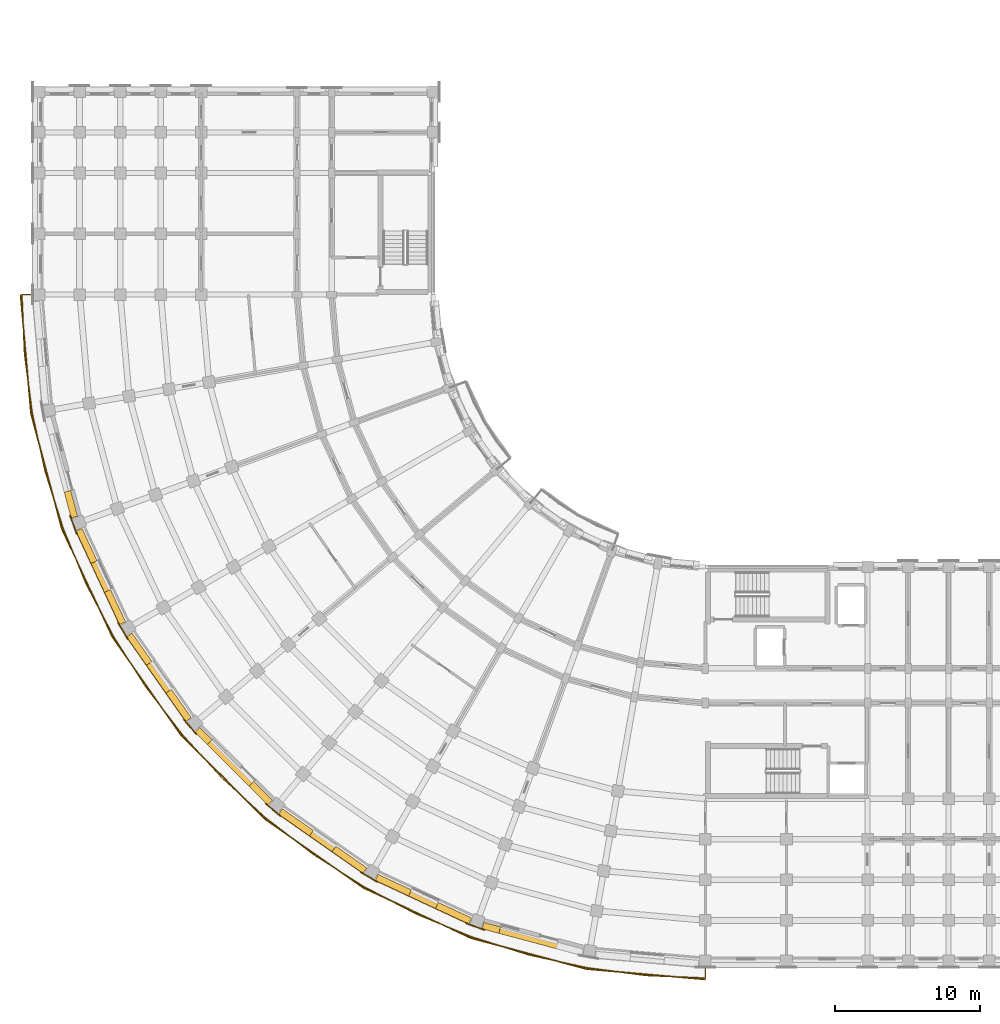
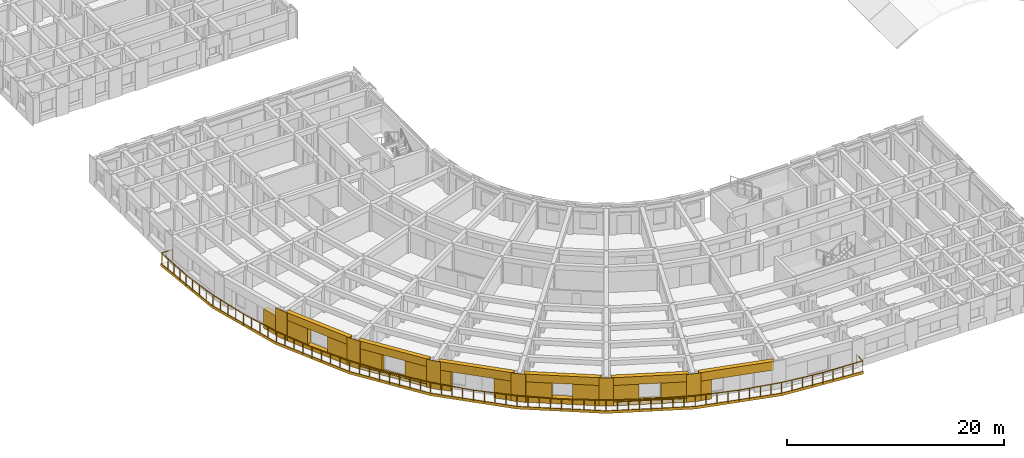
# One storey, part 38 of 54: 29 coverings, 1 railing.
"""IFC4 building model written with IfcOpenShell, lengths in metres."""

from ifc_helpers import new_model, si_unit, direction, frame, origin, origin_2d, place, context, subcontext, project, spatial, polyline, circle, outline, extrude, material, layer, layer_set, type_object, element, save


model = new_model("IFC4")

# Units and contexts
model_context = context("Model", 3, precision=1e-05, world=origin(), true_north=direction((0.0, 1.0)))
body_context = subcontext(model_context, "Body", "Model", "MODEL_VIEW")
ifc_project = project(units=[si_unit("LENGTHUNIT", "METRE"), si_unit("AREAUNIT", "SQUARE_METRE"), si_unit("VOLUMEUNIT", "CUBIC_METRE"), si_unit("PLANEANGLEUNIT", "RADIAN"), si_unit("MASSUNIT", "GRAM", prefix="KILO")], contexts=[model_context])

# Site, building, storey
site_placement = place(None, origin())
site = spatial("IfcSite", under=ifc_project, at=site_placement, CompositionType="ELEMENT")
building_placement = place(site_placement, origin())
building = spatial("IfcBuilding", under=site, at=building_placement, Name="Kiranvali Square Residences", CompositionType="ELEMENT")
storey_placement = place(building_placement, frame((0.0, 0.0, 15.0)))
storey = spatial("IfcBuildingStorey", under=building, at=storey_placement, Name="L04", CompositionType="ELEMENT", Elevation=15.0)

# Coverings
ifc_material_1 = material(Name="Carved Porbandar limestone classical entablature and cornice", Category="masonry")
ifc_layer_1 = layer(ifc_material_1, 0.072021484375)
ifc_layer_set_1 = layer_set([ifc_layer_1], Name="Carved Porbandar limestone classical entablature and cornice")
covering_type_1 = type_object("IfcCoveringType", Name="COV-CLAD-BAL", PredefinedType="CLADDING", material=ifc_layer_set_1)
covering_1_placement = place(storey_placement, frame((0.0, 0.0, -0.239990234375)))
element("IfcCovering", 1, at=covering_1_placement, inside=storey, type_object=covering_type_1, Name="Block C L04 continuous curved limestone balcony fascia", PredefinedType="CLADDING", context=body_context, shape_type="SweptSolid", body=[
    extrude(outline(polyline([(48.199951171875, 0.947998046875), (39.994873046875, 1.665771484375), (32.038818359375, 3.797607421875), (24.573974609375, 7.278564453125), (17.826904296875, 12.0029296875), (12.0029296875, 17.826904296875), (7.278564453125, 24.573974609375), (3.797607421875, 32.038818359375), (1.665771484375, 39.994873046875), (0.947998046875, 48.199951171875), (0.882080078125, 48.199951171875), (1.600830078125, 39.9833984375), (3.735595703125, 32.016357421875), (7.221435546875, 24.541015625), (11.952392578125, 17.78466796875), (17.78466796875, 11.952392578125), (24.541015625, 7.221435546875), (32.016357421875, 3.735595703125), (39.9833984375, 1.600830078125), (48.199951171875, 0.882080078125), (48.199951171875, 0.947998046875)])), origin(), (0.0, 0.0, 1.0), 0.300048828125),
])
ifc_material_2 = material(Name="Honed Porbandar limestone ashlar facade cladding", Category="masonry")
ifc_layer_2 = layer(ifc_material_2, 0.3798828125)
ifc_layer_set_2 = layer_set([ifc_layer_2], Name="Honed Porbandar limestone ashlar facade cladding")
covering_type_2 = type_object("IfcCoveringType", Name="COV-CLAD-JAMB", PredefinedType="CLADDING", material=ifc_layer_set_2)
covering_2_placement = place(storey_placement, origin())
element("IfcCovering", 2, at=covering_2_placement, inside=storey, type_object=covering_type_2, Name="L04 deep limestone window jamb reveal C-L04-CRV-01.R", PredefinedType="CLADDING", context=body_context, shape_type="SweptSolid", body=[
    extrude(outline(polyline([(34.0615234375, 4.54638671875), (32.901611328125, 4.857177734375), (32.78271484375, 4.413330078125), (33.942626953125, 4.1025390625), (34.0615234375, 4.54638671875)])), origin(), (0.0, 0.0, 1.0), 2.179931640625),
])
covering_3_placement = place(storey_placement, frame((0.0, 0.0, 0.422119140625)))
element("IfcCovering", 3, at=covering_3_placement, inside=storey, type_object=covering_type_2, Name="L04 deep limestone window jamb reveal C-L04-CRV-02.L", PredefinedType="CLADDING", context=body_context, shape_type="SweptSolid", body=[
    extrude(outline(polyline([(32.05908203125, 5.163818359375), (29.76220703125, 6.23486328125), (29.568115234375, 5.818359375), (31.86474609375, 4.747314453125), (32.05908203125, 5.163818359375)])), origin(), (0.0, 0.0, 1.0), 1.849853515625),
])
covering_4_placement = place(storey_placement, frame((0.0, 0.0, 0.422119140625)))
element("IfcCovering", 4, at=covering_4_placement, inside=storey, type_object=covering_type_2, Name="L04 deep limestone window jamb reveal C-L04-CRV-02.R", PredefinedType="CLADDING", context=body_context, shape_type="SweptSolid", body=[
    extrude(outline(polyline([(27.904296875, 7.101318359375), (25.607666015625, 8.172119140625), (25.413330078125, 7.755859375), (27.710205078125, 6.684814453125), (27.904296875, 7.101318359375)])), origin(), (0.0, 0.0, 1.0), 1.849853515625),
])
covering_5_placement = place(storey_placement, frame((0.0, 0.0, 0.6220703125)))
element("IfcCovering", 5, at=covering_5_placement, inside=storey, type_object=covering_type_2, Name="L04 deep limestone window jamb reveal C-L04-CRV-03.L", PredefinedType="CLADDING", context=body_context, shape_type="SweptSolid", body=[
    extrude(outline(polyline([(24.8310546875, 8.62060546875), (22.69384765625, 10.1171875), (22.43017578125, 9.74072265625), (24.567626953125, 8.244140625), (24.8310546875, 8.62060546875)])), origin(), (0.0, 0.0, 1.0), 1.64990234375),
])
covering_6_placement = place(storey_placement, frame((0.0, 0.0, 0.6220703125)))
element("IfcCovering", 6, at=covering_6_placement, inside=storey, type_object=covering_type_2, Name="L04 deep limestone window jamb reveal C-L04-CRV-03.R", PredefinedType="CLADDING", context=body_context, shape_type="SweptSolid", body=[
    extrude(outline(polyline([(21.137451171875, 11.206787109375), (19.0, 12.703369140625), (18.736572265625, 12.3271484375), (20.873779296875, 10.83056640625), (21.137451171875, 11.206787109375)])), origin(), (0.0, 0.0, 1.0), 1.64990234375),
])
covering_7_placement = place(storey_placement, origin())
element("IfcCovering", 7, at=covering_7_placement, inside=storey, type_object=covering_type_2, Name="L04 deep limestone window jamb reveal C-L04-CRV-04.L", PredefinedType="CLADDING", context=body_context, shape_type="SweptSolid", body=[
    extrude(outline(polyline([(18.313232421875, 13.27978515625), (17.01123046875, 14.581787109375), (16.686279296875, 14.257080078125), (17.98828125, 12.954833984375), (18.313232421875, 13.27978515625)])), origin(), (0.0, 0.0, 1.0), 2.179931640625),
])
covering_8_placement = place(storey_placement, origin())
element("IfcCovering", 8, at=covering_8_placement, inside=storey, type_object=covering_type_2, Name="L04 deep limestone window jamb reveal C-L04-CRV-04.R", PredefinedType="CLADDING", context=body_context, shape_type="SweptSolid", body=[
    extrude(outline(polyline([(14.12890625, 17.464111328125), (13.27978515625, 18.313232421875), (12.954833984375, 17.98828125), (13.803955078125, 17.13916015625), (14.12890625, 17.464111328125)])), origin(), (0.0, 0.0, 1.0), 2.179931640625),
])
covering_9_placement = place(storey_placement, frame((0.0, 0.0, 0.322021484375)))
element("IfcCovering", 9, at=covering_9_placement, inside=storey, type_object=covering_type_2, Name="L04 deep limestone window jamb reveal C-L04-CRV-05.L", PredefinedType="CLADDING", context=body_context, shape_type="SweptSolid", body=[
    extrude(outline(polyline([(12.703369140625, 19.0), (11.3359375, 20.953125), (10.95947265625, 20.689453125), (12.3271484375, 18.736572265625), (12.703369140625, 19.0)])), origin(), (0.0, 0.0, 1.0), 1.949951171875),
])
covering_10_placement = place(storey_placement, frame((0.0, 0.0, 0.322021484375)))
element("IfcCovering", 10, at=covering_10_placement, inside=storey, type_object=covering_type_2, Name="L04 deep limestone window jamb reveal C-L04-CRV-05.R", PredefinedType="CLADDING", context=body_context, shape_type="SweptSolid", body=[
    extrude(outline(polyline([(9.988037109375, 22.878173828125), (8.62060546875, 24.8310546875), (8.244140625, 24.567626953125), (9.611572265625, 22.614501953125), (9.988037109375, 22.878173828125)])), origin(), (0.0, 0.0, 1.0), 1.949951171875),
])
covering_11_placement = place(storey_placement, frame((0.0, 0.0, 0.471923828125)))
element("IfcCovering", 11, at=covering_11_placement, inside=storey, type_object=covering_type_2, Name="L04 deep limestone window jamb reveal C-L04-CRV-06.L", PredefinedType="CLADDING", context=body_context, shape_type="SweptSolid", body=[
    extrude(outline(polyline([(8.172119140625, 25.607666015625), (7.1328125, 27.83642578125), (6.716552734375, 27.64208984375), (7.755859375, 25.413330078125), (8.172119140625, 25.607666015625)])), origin(), (0.0, 0.0, 1.0), 1.800048828125),
])
covering_12_placement = place(storey_placement, frame((0.0, 0.0, 0.471923828125)))
element("IfcCovering", 12, at=covering_12_placement, inside=storey, type_object=covering_type_2, Name="L04 deep limestone window jamb reveal C-L04-CRV-06.R", PredefinedType="CLADDING", context=body_context, shape_type="SweptSolid", body=[
    extrude(outline(polyline([(6.203125, 29.830322265625), (5.163818359375, 32.05908203125), (4.747314453125, 31.86474609375), (5.78662109375, 29.635986328125), (6.203125, 29.830322265625)])), origin(), (0.0, 0.0, 1.0), 1.800048828125),
])
covering_13_placement = place(storey_placement, origin())
element("IfcCovering", 13, at=covering_13_placement, inside=storey, type_object=covering_type_2, Name="L04 deep limestone window jamb reveal C-L04-CRV-07.L", PredefinedType="CLADDING", context=body_context, shape_type="SweptSolid", body=[
    extrude(outline(polyline([(4.857177734375, 32.901611328125), (4.380615234375, 34.68017578125), (3.936767578125, 34.561279296875), (4.413330078125, 32.78271484375), (4.857177734375, 32.901611328125)])), origin(), (0.0, 0.0, 1.0), 2.179931640625),
])
ifc_layer_3 = layer(ifc_material_2, 0.06494140625)
ifc_layer_set_3 = layer_set([ifc_layer_3], Name="Honed Porbandar limestone ashlar facade cladding")
covering_type_3 = type_object("IfcCoveringType", Name="COV-CLAD-PIER", PredefinedType="CLADDING", material=ifc_layer_set_3)
covering_14_placement = place(storey_placement, frame((0.0, 0.0, 0.0048828125)))
element("IfcCovering", 14, at=covering_14_placement, inside=storey, type_object=covering_type_3, Name="L04 Classical limestone corner pilaster CLAD-PR-C-L04-A02", PredefinedType="CLADDING", context=body_context, shape_type="SweptSolid", body=[
    extrude(outline(polyline([(31.66796875, 4.766845703125), (32.946044921875, 4.3017578125), (32.968994140625, 4.365234375), (31.691162109375, 4.830322265625), (31.66796875, 4.766845703125)])), origin(), (0.0, 0.0, 1.0), 3.14013671875),
])
covering_15_placement = place(storey_placement, frame((0.0, 0.0, 0.0048828125)))
element("IfcCovering", 15, at=covering_15_placement, inside=storey, type_object=covering_type_3, Name="L04 Classical limestone corner pilaster CLAD-PR-C-L04-A03", PredefinedType="CLADDING", context=body_context, shape_type="SweptSolid", body=[
    extrude(outline(polyline([(24.377197265625, 8.297607421875), (25.554931640625, 7.617431640625), (25.588623046875, 7.676025390625), (24.410888671875, 8.35595703125), (24.377197265625, 8.297607421875)])), origin(), (0.0, 0.0, 1.0), 3.14013671875),
])
covering_16_placement = place(storey_placement, frame((0.0, 0.0, 0.0048828125)))
element("IfcCovering", 16, at=covering_16_placement, inside=storey, type_object=covering_type_3, Name="L04 Classical limestone corner pilaster CLAD-PR-C-L04-A04", PredefinedType="CLADDING", context=body_context, shape_type="SweptSolid", body=[
    extrude(outline(polyline([(17.81005859375, 13.04052734375), (18.851806640625, 12.166259765625), (18.895263671875, 12.218017578125), (17.853515625, 13.09228515625), (17.81005859375, 13.04052734375)])), origin(), (0.0, 0.0, 1.0), 3.14013671875),
])
covering_17_placement = place(storey_placement, frame((0.0, 0.0, 0.0048828125)))
element("IfcCovering", 17, at=covering_17_placement, inside=storey, type_object=covering_type_3, Name="L04 Classical limestone corner pilaster CLAD-PR-C-L04-A05", PredefinedType="CLADDING", context=body_context, shape_type="SweptSolid", body=[
    extrude(outline(polyline([(12.166259765625, 18.851806640625), (13.04052734375, 17.81005859375), (13.09228515625, 17.853515625), (12.218017578125, 18.895263671875), (12.166259765625, 18.851806640625)])), origin(), (0.0, 0.0, 1.0), 3.14013671875),
])
covering_18_placement = place(storey_placement, frame((0.0, 0.0, 0.0048828125)))
element("IfcCovering", 18, at=covering_18_placement, inside=storey, type_object=covering_type_3, Name="L04 Classical limestone corner pilaster CLAD-PR-C-L04-A06", PredefinedType="CLADDING", context=body_context, shape_type="SweptSolid", body=[
    extrude(outline(polyline([(7.617431640625, 25.554931640625), (8.297607421875, 24.377197265625), (8.35595703125, 24.410888671875), (7.676025390625, 25.588623046875), (7.617431640625, 25.554931640625)])), origin(), (0.0, 0.0, 1.0), 3.14013671875),
])
covering_19_placement = place(storey_placement, frame((0.0, 0.0, 0.0048828125)))
element("IfcCovering", 19, at=covering_19_placement, inside=storey, type_object=covering_type_3, Name="L04 Classical limestone corner pilaster CLAD-PR-C-L04-A07", PredefinedType="CLADDING", context=body_context, shape_type="SweptSolid", body=[
    extrude(outline(polyline([(4.3017578125, 32.946044921875), (4.766845703125, 31.66796875), (4.830322265625, 31.691162109375), (4.365234375, 32.968994140625), (4.3017578125, 32.946044921875)])), origin(), (0.0, 0.0, 1.0), 3.14013671875),
])
ifc_layer_4 = layer(ifc_material_2, 0.360107421875)
ifc_layer_set_4 = layer_set([ifc_layer_4], Name="Honed Porbandar limestone ashlar facade cladding")
covering_type_4 = type_object("IfcCoveringType", Name="COV-CLAD-WALL", PredefinedType="CLADDING", material=ifc_layer_set_4)
covering_20_placement = place(storey_placement, frame((0.0, 0.0, 2.179931640625)))
element("IfcCovering", 20, at=covering_20_placement, inside=storey, type_object=covering_type_4, Name="L04 light limestone spandrel lintel C-L04-CRV-01", PredefinedType="CLADDING", context=body_context, shape_type="SweptSolid", body=[
    extrude(outline(polyline([(39.77734375, 3.014892578125), (32.901611328125, 4.857177734375), (32.78271484375, 4.413330078125), (39.658447265625, 2.571044921875), (39.77734375, 3.014892578125)])), origin(), (0.0, 0.0, 1.0), 0.965087890625),
])
covering_21_placement = place(storey_placement, frame((0.0, 0.0, 2.27197265625)))
element("IfcCovering", 21, at=covering_21_placement, inside=storey, type_object=covering_type_4, Name="L04 light limestone spandrel lintel C-L04-CRV-02", PredefinedType="CLADDING", context=body_context, shape_type="SweptSolid", body=[
    extrude(outline(polyline([(32.05908203125, 5.163818359375), (25.607666015625, 8.172119140625), (25.413330078125, 7.755859375), (31.86474609375, 4.747314453125), (32.05908203125, 5.163818359375)])), origin(), (0.0, 0.0, 1.0), 0.873046875),
])
covering_22_placement = place(storey_placement, frame((0.0, 0.0, 0.0048828125)))
element("IfcCovering", 22, at=covering_22_placement, inside=storey, type_object=covering_type_4, Name="L04 limestone window sill apron C-L04-CRV-02", PredefinedType="CLADDING", context=body_context, shape_type="SweptSolid", body=[
    extrude(outline(polyline([(32.05908203125, 5.163818359375), (25.607666015625, 8.172119140625), (25.40087890625, 7.728515625), (31.85205078125, 4.72021484375), (32.05908203125, 5.163818359375)])), origin(), (0.0, 0.0, 1.0), 0.417236328125),
])
covering_23_placement = place(storey_placement, frame((0.0, 0.0, 2.27197265625)))
element("IfcCovering", 23, at=covering_23_placement, inside=storey, type_object=covering_type_4, Name="L04 light limestone spandrel lintel C-L04-CRV-03", PredefinedType="CLADDING", context=body_context, shape_type="SweptSolid", body=[
    extrude(outline(polyline([(24.8310546875, 8.62060546875), (19.0, 12.703369140625), (18.736572265625, 12.3271484375), (24.567626953125, 8.244140625), (24.8310546875, 8.62060546875)])), origin(), (0.0, 0.0, 1.0), 0.873046875),
])
covering_24_placement = place(storey_placement, frame((0.0, 0.0, 0.0048828125)))
element("IfcCovering", 24, at=covering_24_placement, inside=storey, type_object=covering_type_4, Name="L04 limestone window sill apron C-L04-CRV-03", PredefinedType="CLADDING", context=body_context, shape_type="SweptSolid", body=[
    extrude(outline(polyline([(24.8310546875, 8.62060546875), (19.0, 12.703369140625), (18.71923828125, 12.302490234375), (24.55029296875, 8.219482421875), (24.8310546875, 8.62060546875)])), origin(), (0.0, 0.0, 1.0), 0.6171875),
])
covering_25_placement = place(storey_placement, frame((0.0, 0.0, 2.179931640625)))
element("IfcCovering", 25, at=covering_25_placement, inside=storey, type_object=covering_type_4, Name="L04 light limestone spandrel lintel C-L04-CRV-04", PredefinedType="CLADDING", context=body_context, shape_type="SweptSolid", body=[
    extrude(outline(polyline([(18.313232421875, 13.27978515625), (13.27978515625, 18.313232421875), (12.954833984375, 17.98828125), (17.98828125, 12.954833984375), (18.313232421875, 13.27978515625)])), origin(), (0.0, 0.0, 1.0), 0.965087890625),
])
covering_26_placement = place(storey_placement, frame((0.0, 0.0, 2.27197265625)))
element("IfcCovering", 26, at=covering_26_placement, inside=storey, type_object=covering_type_4, Name="L04 light limestone spandrel lintel C-L04-CRV-05", PredefinedType="CLADDING", context=body_context, shape_type="SweptSolid", body=[
    extrude(outline(polyline([(12.703369140625, 19.0), (8.62060546875, 24.8310546875), (8.244140625, 24.567626953125), (12.3271484375, 18.736572265625), (12.703369140625, 19.0)])), origin(), (0.0, 0.0, 1.0), 0.873046875),
])
covering_27_placement = place(storey_placement, frame((0.0, 0.0, 0.0048828125)))
element("IfcCovering", 27, at=covering_27_placement, inside=storey, type_object=covering_type_4, Name="L04 limestone window sill apron C-L04-CRV-05", PredefinedType="CLADDING", context=body_context, shape_type="SweptSolid", body=[
    extrude(outline(polyline([(12.703369140625, 19.0), (8.62060546875, 24.8310546875), (8.219482421875, 24.55029296875), (12.302490234375, 18.71923828125), (12.703369140625, 19.0)])), origin(), (0.0, 0.0, 1.0), 0.317138671875),
])
covering_28_placement = place(storey_placement, frame((0.0, 0.0, 2.27197265625)))
element("IfcCovering", 28, at=covering_28_placement, inside=storey, type_object=covering_type_4, Name="L04 light limestone spandrel lintel C-L04-CRV-06", PredefinedType="CLADDING", context=body_context, shape_type="SweptSolid", body=[
    extrude(outline(polyline([(8.172119140625, 25.607666015625), (5.163818359375, 32.05908203125), (4.747314453125, 31.86474609375), (7.755859375, 25.413330078125), (8.172119140625, 25.607666015625)])), origin(), (0.0, 0.0, 1.0), 0.873046875),
])
covering_29_placement = place(storey_placement, frame((0.0, 0.0, 0.0048828125)))
element("IfcCovering", 29, at=covering_29_placement, inside=storey, type_object=covering_type_4, Name="L04 limestone window sill apron C-L04-CRV-06", PredefinedType="CLADDING", context=body_context, shape_type="SweptSolid", body=[
    extrude(outline(polyline([(8.172119140625, 25.607666015625), (5.163818359375, 32.05908203125), (4.72021484375, 31.85205078125), (7.728515625, 25.40087890625), (8.172119140625, 25.607666015625)])), origin(), (0.0, 0.0, 1.0), 0.467041015625),
])

# Railing
ifc_material_3 = material(Name="Powder-coated architectural bronze balustrade", Category="steel")
railing_type = type_object("IfcRailingType", Name="RL-BAL-GOLD-1200", PredefinedType="BALUSTRADE", material=ifc_material_3)
railing_placement = place(storey_placement, frame((48.199951171875, 2.159912109375, 0.0)))
element("IfcRailing", 30, at=railing_placement, inside=storey, type_object=railing_type, Name="Block C L04 continuous curved corner gold balustrade", PredefinedType="BALUSTRADE", context=body_context, shape_type="SweptSolid", body=[
    extrude(circle(Radius=0.02392578125, at=origin_2d()), frame((0.0, 0.0, 1.17578125), z_axis=(0.0, -1.0, 0.0), x_axis=(1.0, 0.0, 0.0)), (0.0, 0.0, 1.0), 1.14990234375),
    extrude(circle(Radius=0.02392578125, at=origin_2d()), frame((0.0, -1.14990234375, 1.17578125), z_axis=(-0.999049544955, 0.043589066576, 0.0), x_axis=(-0.043589066576, -0.999049544955, 0.0)), (0.0, 0.0, 1.0), 4.11669921875),
    extrude(circle(Radius=0.02392578125, at=origin_2d()), frame((-4.11279296875, -0.970458984375, 1.17578125), z_axis=(-0.991444603928, 0.1305281477, 0.0), x_axis=(-0.1305281477, -0.991444603928, 0.0)), (0.0, 0.0, 1.0), 4.11669921875),
    extrude(circle(Radius=0.02392578125, at=origin_2d()), frame((-8.1943359375, -0.43310546875, 1.17578125), z_axis=(-0.976292989924, 0.216453223181, 0.0), x_axis=(-0.216453223181, -0.976292989924, 0.0)), (0.0, 0.0, 1.0), 4.116943359375),
    extrude(circle(Radius=0.02392578125, at=origin_2d()), frame((-12.213623046875, 0.4580078125, 1.17578125), z_axis=(-0.953710744932, 0.300725481131, 0.0), x_axis=(-0.300725481131, -0.953710744932, 0.0)), (0.0, 0.0, 1.0), 4.116943359375),
    extrude(circle(Radius=0.02392578125, at=origin_2d()), frame((-16.139892578125, 1.696044921875, 1.17578125), z_axis=(-0.923880226262, 0.382681757498, 0.0), x_axis=(-0.382681757498, -0.923880226262, 0.0)), (0.0, 0.0, 1.0), 4.116943359375),
    extrude(circle(Radius=0.02392578125, at=origin_2d()), frame((-19.943359375, 3.271484375, 1.17578125), z_axis=(-0.887013781313, 0.461742949877, 0.0), x_axis=(-0.461742949877, -0.887013781313, 0.0)), (0.0, 0.0, 1.0), 4.11669921875),
    extrude(circle(Radius=0.02392578125, at=origin_2d()), frame((-23.594970703125, 5.17236328125, 1.17578125), z_axis=(-0.843402550976, 0.537282176335, 0.0), x_axis=(-0.537282176335, -0.843402550976, 0.0)), (0.0, 0.0, 1.0), 4.116943359375),
    extrude(circle(Radius=0.02392578125, at=origin_2d()), frame((-27.067138671875, 7.38427734375, 1.17578125), z_axis=(-0.793339967331, 0.608778856594, 0.0), x_axis=(-0.608778856594, -0.793339967331, 0.0)), (0.0, 0.0, 1.0), 4.11669921875),
    extrude(circle(Radius=0.02392578125, at=origin_2d()), frame((-30.3330078125, 9.890380859375, 1.17578125), z_axis=(-0.737299356654, 0.675566176386, 0.0), x_axis=(-0.675566176386, -0.737299356654, 0.0)), (0.0, 0.0, 1.0), 4.116943359375),
    extrude(circle(Radius=0.02392578125, at=origin_2d()), frame((-33.368408203125, 12.671630859375, 1.17578125), z_axis=(-0.675566176386, 0.737299356654, 0.0), x_axis=(-0.737299356654, -0.675566176386, 0.0)), (0.0, 0.0, 1.0), 4.116943359375),
    extrude(circle(Radius=0.02392578125, at=origin_2d()), frame((-36.149658203125, 15.70703125, 1.17578125), z_axis=(-0.608778856594, 0.793339967331, 0.0), x_axis=(-0.793339967331, -0.608778856594, 0.0)), (0.0, 0.0, 1.0), 4.11669921875),
    extrude(circle(Radius=0.02392578125, at=origin_2d()), frame((-38.65576171875, 18.972900390625, 1.17578125), z_axis=(-0.537282176335, 0.843402550976, 0.0), x_axis=(-0.843402550976, -0.537282176335, 0.0)), (0.0, 0.0, 1.0), 4.116943359375),
    extrude(circle(Radius=0.02392578125, at=origin_2d()), frame((-40.86767578125, 22.445068359375, 1.17578125), z_axis=(-0.461742949877, 0.887013781313, 0.0), x_axis=(-0.887013781313, -0.461742949877, 0.0)), (0.0, 0.0, 1.0), 4.11669921875),
    extrude(circle(Radius=0.02392578125, at=origin_2d()), frame((-42.7685546875, 26.0966796875, 1.17578125), z_axis=(-0.382681757498, 0.923880226262, 0.0), x_axis=(-0.923880226262, -0.382681757498, 0.0)), (0.0, 0.0, 1.0), 4.116943359375),
    extrude(circle(Radius=0.02392578125, at=origin_2d()), frame((-44.343994140625, 29.900146484375, 1.17578125), z_axis=(-0.300725481131, 0.953710744932, 0.0), x_axis=(-0.953710744932, -0.300725481131, 0.0)), (0.0, 0.0, 1.0), 4.116943359375),
    extrude(circle(Radius=0.02392578125, at=origin_2d()), frame((-45.58203125, 33.826416015625, 1.17578125), z_axis=(-0.216453223181, 0.976292989924, 0.0), x_axis=(-0.976292989924, -0.216453223181, 0.0)), (0.0, 0.0, 1.0), 4.116943359375),
    extrude(circle(Radius=0.02392578125, at=origin_2d()), frame((-46.47314453125, 37.845703125, 1.17578125), z_axis=(-0.1305281477, 0.991444603928, 0.0), x_axis=(-0.991444603928, -0.1305281477, 0.0)), (0.0, 0.0, 1.0), 4.11669921875),
    extrude(circle(Radius=0.02392578125, at=origin_2d()), frame((-47.010498046875, 41.92724609375, 1.17578125), z_axis=(-0.043589066576, 0.999049544955, 0.0), x_axis=(-0.999049544955, -0.043589066576, 0.0)), (0.0, 0.0, 1.0), 4.11669921875),
    extrude(circle(Radius=0.02392578125, at=origin_2d()), frame((-47.18994140625, 46.0400390625, 1.17578125), z_axis=(1.0, 0.0, 0.0), x_axis=(0.0, 1.0, 0.0)), (0.0, 0.0, 1.0), 1.14990234375),
    extrude(circle(Radius=0.02099609375, at=origin_2d()), origin(), (0.0, 0.0, 1.0), 1.15185546875),
    extrude(circle(Radius=0.02099609375, at=origin_2d()), frame((0.0, -1.14990234375, 0.0)), (0.0, 0.0, 1.0), 1.15185546875),
    extrude(circle(Radius=0.02099609375, at=origin_2d()), frame((-1.0283203125, -1.10498046875, 0.0)), (0.0, 0.0, 1.0), 1.15185546875),
    extrude(circle(Radius=0.02099609375, at=origin_2d()), frame((-2.056396484375, -1.06005859375, 0.0)), (0.0, 0.0, 1.0), 1.15185546875),
    extrude(circle(Radius=0.02099609375, at=origin_2d()), frame((-3.08447265625, -1.015380859375, 0.0)), (0.0, 0.0, 1.0), 1.15185546875),
    extrude(circle(Radius=0.02099609375, at=origin_2d()), frame((-4.11279296875, -0.970458984375, 0.0)), (0.0, 0.0, 1.0), 1.15185546875),
    extrude(circle(Radius=0.02099609375, at=origin_2d()), frame((-5.13330078125, -0.836181640625, 0.0)), (0.0, 0.0, 1.0), 1.15185546875),
    extrude(circle(Radius=0.02099609375, at=origin_2d()), frame((-6.153564453125, -0.70166015625, 0.0)), (0.0, 0.0, 1.0), 1.15185546875),
    extrude(circle(Radius=0.02099609375, at=origin_2d()), frame((-7.173828125, -0.5673828125, 0.0)), (0.0, 0.0, 1.0), 1.15185546875),
    extrude(circle(Radius=0.02099609375, at=origin_2d()), frame((-8.1943359375, -0.43310546875, 0.0)), (0.0, 0.0, 1.0), 1.15185546875),
    extrude(circle(Radius=0.02099609375, at=origin_2d()), frame((-9.19921875, -0.21044921875, 0.0)), (0.0, 0.0, 1.0), 1.15185546875),
    extrude(circle(Radius=0.02099609375, at=origin_2d()), frame((-10.2041015625, 0.012451171875, 0.0)), (0.0, 0.0, 1.0), 1.15185546875),
    extrude(circle(Radius=0.02099609375, at=origin_2d()), frame((-11.208740234375, 0.2353515625, 0.0)), (0.0, 0.0, 1.0), 1.15185546875),
    extrude(circle(Radius=0.02099609375, at=origin_2d()), frame((-12.213623046875, 0.4580078125, 0.0)), (0.0, 0.0, 1.0), 1.15185546875),
    extrude(circle(Radius=0.02099609375, at=origin_2d()), frame((-13.1953125, 0.767578125, 0.0)), (0.0, 0.0, 1.0), 1.15185546875),
    extrude(circle(Radius=0.02099609375, at=origin_2d()), frame((-14.1767578125, 1.0771484375, 0.0)), (0.0, 0.0, 1.0), 1.15185546875),
    extrude(circle(Radius=0.02099609375, at=origin_2d()), frame((-15.158203125, 1.386474609375, 0.0)), (0.0, 0.0, 1.0), 1.15185546875),
    extrude(circle(Radius=0.02099609375, at=origin_2d()), frame((-16.139892578125, 1.696044921875, 0.0)), (0.0, 0.0, 1.0), 1.15185546875),
    extrude(circle(Radius=0.02099609375, at=origin_2d()), frame((-17.0908203125, 2.08984375, 0.0)), (0.0, 0.0, 1.0), 1.15185546875),
    extrude(circle(Radius=0.02099609375, at=origin_2d()), frame((-18.04150390625, 2.48388671875, 0.0)), (0.0, 0.0, 1.0), 1.15185546875),
    extrude(circle(Radius=0.02099609375, at=origin_2d()), frame((-18.992431640625, 2.877685546875, 0.0)), (0.0, 0.0, 1.0), 1.15185546875),
    extrude(circle(Radius=0.02099609375, at=origin_2d()), frame((-19.943359375, 3.271484375, 0.0)), (0.0, 0.0, 1.0), 1.15185546875),
    extrude(circle(Radius=0.02099609375, at=origin_2d()), frame((-20.856201171875, 3.74658203125, 0.0)), (0.0, 0.0, 1.0), 1.15185546875),
    extrude(circle(Radius=0.02099609375, at=origin_2d()), frame((-21.76904296875, 4.221923828125, 0.0)), (0.0, 0.0, 1.0), 1.15185546875),
    extrude(circle(Radius=0.02099609375, at=origin_2d()), frame((-22.68212890625, 4.697265625, 0.0)), (0.0, 0.0, 1.0), 1.15185546875),
    extrude(circle(Radius=0.02099609375, at=origin_2d()), frame((-23.594970703125, 5.17236328125, 0.0)), (0.0, 0.0, 1.0), 1.15185546875),
    extrude(circle(Radius=0.02099609375, at=origin_2d()), frame((-24.462890625, 5.725341796875, 0.0)), (0.0, 0.0, 1.0), 1.15185546875),
    extrude(circle(Radius=0.02099609375, at=origin_2d()), frame((-25.3310546875, 6.2783203125, 0.0)), (0.0, 0.0, 1.0), 1.15185546875),
    extrude(circle(Radius=0.02099609375, at=origin_2d()), frame((-26.19921875, 6.831298828125, 0.0)), (0.0, 0.0, 1.0), 1.15185546875),
    extrude(circle(Radius=0.02099609375, at=origin_2d()), frame((-27.067138671875, 7.38427734375, 0.0)), (0.0, 0.0, 1.0), 1.15185546875),
    extrude(circle(Radius=0.02099609375, at=origin_2d()), frame((-27.883544921875, 8.0107421875, 0.0)), (0.0, 0.0, 1.0), 1.15185546875),
    extrude(circle(Radius=0.02099609375, at=origin_2d()), frame((-28.7001953125, 8.63720703125, 0.0)), (0.0, 0.0, 1.0), 1.15185546875),
    extrude(circle(Radius=0.02099609375, at=origin_2d()), frame((-29.5166015625, 9.263916015625, 0.0)), (0.0, 0.0, 1.0), 1.15185546875),
    extrude(circle(Radius=0.02099609375, at=origin_2d()), frame((-30.3330078125, 9.890380859375, 0.0)), (0.0, 0.0, 1.0), 1.15185546875),
    extrude(circle(Radius=0.02099609375, at=origin_2d()), frame((-31.091796875, 10.585693359375, 0.0)), (0.0, 0.0, 1.0), 1.15185546875),
    extrude(circle(Radius=0.02099609375, at=origin_2d()), frame((-31.8505859375, 11.281005859375, 0.0)), (0.0, 0.0, 1.0), 1.15185546875),
    extrude(circle(Radius=0.02099609375, at=origin_2d()), frame((-32.609619140625, 11.976318359375, 0.0)), (0.0, 0.0, 1.0), 1.15185546875),
    extrude(circle(Radius=0.02099609375, at=origin_2d()), frame((-33.368408203125, 12.671630859375, 0.0)), (0.0, 0.0, 1.0), 1.15185546875),
    extrude(circle(Radius=0.02099609375, at=origin_2d()), frame((-34.063720703125, 13.430419921875, 0.0)), (0.0, 0.0, 1.0), 1.15185546875),
    extrude(circle(Radius=0.02099609375, at=origin_2d()), frame((-34.759033203125, 14.189453125, 0.0)), (0.0, 0.0, 1.0), 1.15185546875),
    extrude(circle(Radius=0.02099609375, at=origin_2d()), frame((-35.454345703125, 14.9482421875, 0.0)), (0.0, 0.0, 1.0), 1.15185546875),
    extrude(circle(Radius=0.02099609375, at=origin_2d()), frame((-36.149658203125, 15.70703125, 0.0)), (0.0, 0.0, 1.0), 1.15185546875),
    extrude(circle(Radius=0.02099609375, at=origin_2d()), frame((-36.776123046875, 16.5234375, 0.0)), (0.0, 0.0, 1.0), 1.15185546875),
    extrude(circle(Radius=0.02099609375, at=origin_2d()), frame((-37.40283203125, 17.33984375, 0.0)), (0.0, 0.0, 1.0), 1.15185546875),
    extrude(circle(Radius=0.02099609375, at=origin_2d()), frame((-38.029296875, 18.156494140625, 0.0)), (0.0, 0.0, 1.0), 1.15185546875),
    extrude(circle(Radius=0.02099609375, at=origin_2d()), frame((-38.65576171875, 18.972900390625, 0.0)), (0.0, 0.0, 1.0), 1.15185546875),
    extrude(circle(Radius=0.02099609375, at=origin_2d()), frame((-39.208740234375, 19.8408203125, 0.0)), (0.0, 0.0, 1.0), 1.15185546875),
    extrude(circle(Radius=0.02099609375, at=origin_2d()), frame((-39.76171875, 20.708984375, 0.0)), (0.0, 0.0, 1.0), 1.15185546875),
    extrude(circle(Radius=0.02099609375, at=origin_2d()), frame((-40.314697265625, 21.5771484375, 0.0)), (0.0, 0.0, 1.0), 1.15185546875),
    extrude(circle(Radius=0.02099609375, at=origin_2d()), frame((-40.86767578125, 22.445068359375, 0.0)), (0.0, 0.0, 1.0), 1.15185546875),
    extrude(circle(Radius=0.02099609375, at=origin_2d()), frame((-41.3427734375, 23.35791015625, 0.0)), (0.0, 0.0, 1.0), 1.15185546875),
    extrude(circle(Radius=0.02099609375, at=origin_2d()), frame((-41.818115234375, 24.27099609375, 0.0)), (0.0, 0.0, 1.0), 1.15185546875),
    extrude(circle(Radius=0.02099609375, at=origin_2d()), frame((-42.29345703125, 25.183837890625, 0.0)), (0.0, 0.0, 1.0), 1.15185546875),
    extrude(circle(Radius=0.02099609375, at=origin_2d()), frame((-42.7685546875, 26.0966796875, 0.0)), (0.0, 0.0, 1.0), 1.15185546875),
    extrude(circle(Radius=0.02099609375, at=origin_2d()), frame((-43.162353515625, 27.047607421875, 0.0)), (0.0, 0.0, 1.0), 1.15185546875),
    extrude(circle(Radius=0.02099609375, at=origin_2d()), frame((-43.55615234375, 27.99853515625, 0.0)), (0.0, 0.0, 1.0), 1.15185546875),
    extrude(circle(Radius=0.02099609375, at=origin_2d()), frame((-43.9501953125, 28.94921875, 0.0)), (0.0, 0.0, 1.0), 1.15185546875),
    extrude(circle(Radius=0.02099609375, at=origin_2d()), frame((-44.343994140625, 29.900146484375, 0.0)), (0.0, 0.0, 1.0), 1.15185546875),
    extrude(circle(Radius=0.02099609375, at=origin_2d()), frame((-44.653564453125, 30.8818359375, 0.0)), (0.0, 0.0, 1.0), 1.15185546875),
    extrude(circle(Radius=0.02099609375, at=origin_2d()), frame((-44.962890625, 31.86328125, 0.0)), (0.0, 0.0, 1.0), 1.15185546875),
    extrude(circle(Radius=0.02099609375, at=origin_2d()), frame((-45.2724609375, 32.8447265625, 0.0)), (0.0, 0.0, 1.0), 1.15185546875),
    extrude(circle(Radius=0.02099609375, at=origin_2d()), frame((-45.58203125, 33.826416015625, 0.0)), (0.0, 0.0, 1.0), 1.15185546875),
    extrude(circle(Radius=0.02099609375, at=origin_2d()), frame((-45.8046875, 34.831298828125, 0.0)), (0.0, 0.0, 1.0), 1.15185546875),
    extrude(circle(Radius=0.02099609375, at=origin_2d()), frame((-46.027587890625, 35.8359375, 0.0)), (0.0, 0.0, 1.0), 1.15185546875),
    extrude(circle(Radius=0.02099609375, at=origin_2d()), frame((-46.25048828125, 36.8408203125, 0.0)), (0.0, 0.0, 1.0), 1.15185546875),
    extrude(circle(Radius=0.02099609375, at=origin_2d()), frame((-46.47314453125, 37.845703125, 0.0)), (0.0, 0.0, 1.0), 1.15185546875),
    extrude(circle(Radius=0.02099609375, at=origin_2d()), frame((-46.607421875, 38.8662109375, 0.0)), (0.0, 0.0, 1.0), 1.15185546875),
    extrude(circle(Radius=0.02099609375, at=origin_2d()), frame((-46.74169921875, 39.886474609375, 0.0)), (0.0, 0.0, 1.0), 1.15185546875),
    extrude(circle(Radius=0.02099609375, at=origin_2d()), frame((-46.876220703125, 40.90673828125, 0.0)), (0.0, 0.0, 1.0), 1.15185546875),
    extrude(circle(Radius=0.02099609375, at=origin_2d()), frame((-47.010498046875, 41.92724609375, 0.0)), (0.0, 0.0, 1.0), 1.15185546875),
    extrude(circle(Radius=0.02099609375, at=origin_2d()), frame((-47.055419921875, 42.95556640625, 0.0)), (0.0, 0.0, 1.0), 1.15185546875),
    extrude(circle(Radius=0.02099609375, at=origin_2d()), frame((-47.10009765625, 43.983642578125, 0.0)), (0.0, 0.0, 1.0), 1.15185546875),
    extrude(circle(Radius=0.02099609375, at=origin_2d()), frame((-47.14501953125, 45.01171875, 0.0)), (0.0, 0.0, 1.0), 1.15185546875),
    extrude(circle(Radius=0.02099609375, at=origin_2d()), frame((-47.18994140625, 46.0400390625, 0.0)), (0.0, 0.0, 1.0), 1.15185546875),
    extrude(circle(Radius=0.02099609375, at=origin_2d()), frame((-46.0400390625, 46.0400390625, 0.0)), (0.0, 0.0, 1.0), 1.15185546875),
])

save(model, "model.ifc")
